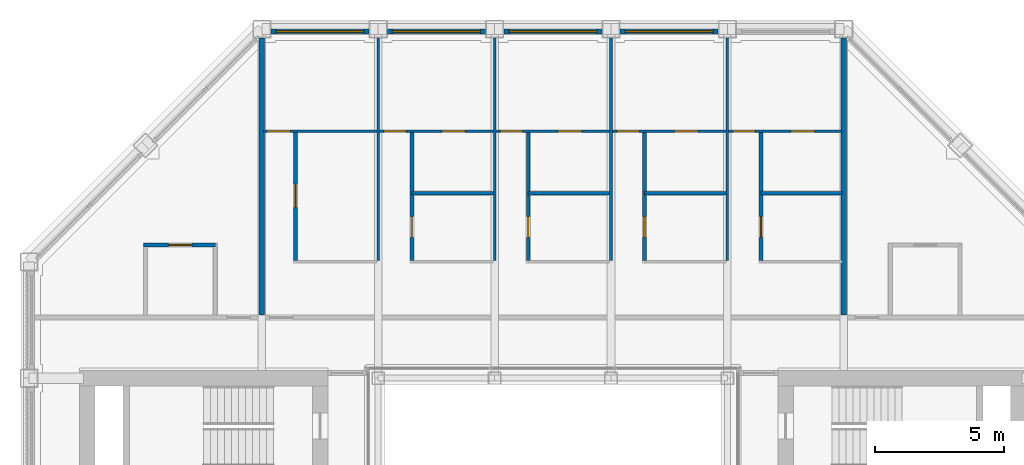
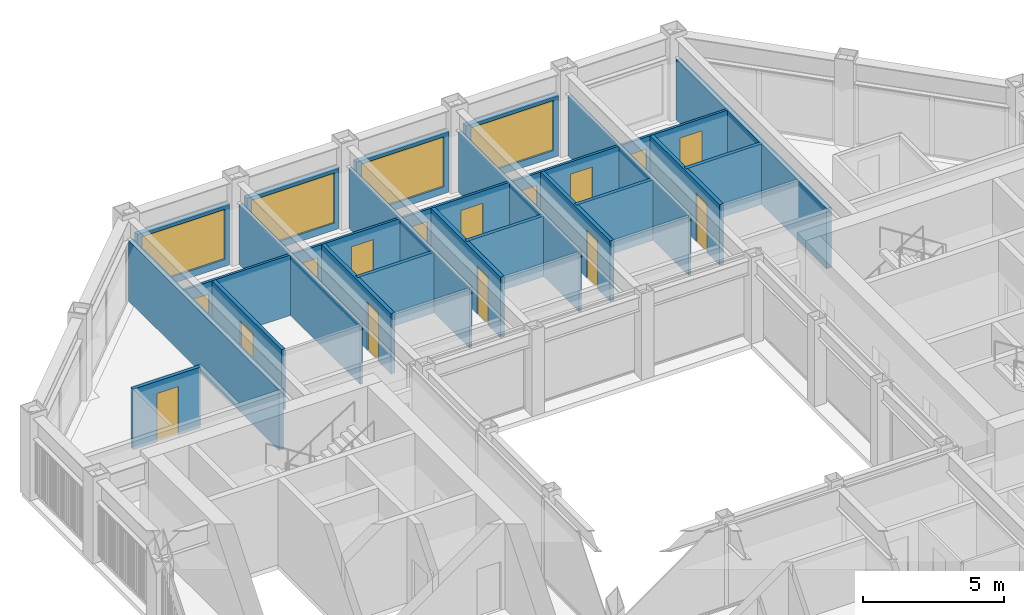
# One storey, part 12 of 18: 25 walls, 15 doors, 4 windows, 19 openings.
"""IFC4 building model written with IfcOpenShell, lengths in metres."""

from ifc_helpers import new_model, si_unit, direction, frame, frame_2d, origin, place, context, subcontext, project, spatial, rectangle, extrude, material, layer, layer_set, type_object, element, fill, save


model = new_model("IFC4")

# Units and contexts
model_context = context("Model", 3, precision=1e-05, world=origin(), true_north=direction((0.0, 1.0)))
body_context = subcontext(model_context, "Body", "Model", "MODEL_VIEW")
ifc_project = project(units=[si_unit("LENGTHUNIT", "METRE"), si_unit("AREAUNIT", "SQUARE_METRE"), si_unit("VOLUMEUNIT", "CUBIC_METRE"), si_unit("PLANEANGLEUNIT", "RADIAN"), si_unit("MASSUNIT", "GRAM", prefix="KILO")], contexts=[model_context])

# Site, building, storey
site_placement = place(None, origin())
site = spatial("IfcSite", under=ifc_project, at=site_placement, CompositionType="ELEMENT")
building_placement = place(site_placement, origin())
building = spatial("IfcBuilding", under=site, at=building_placement, Name="Msasa Ring Tower", CompositionType="ELEMENT")
storey_placement = place(building_placement, frame((0.0, 0.0, 245.800048828125)))
storey = spatial("IfcBuildingStorey", under=building, at=storey_placement, Name="L64", CompositionType="ELEMENT", Elevation=245.800048828125)

# Wall, opening, window
ifc_material_1 = material(Name="Terracotta rainscreen on blockwork", Category="masonry")
ifc_layer_1 = layer(ifc_material_1, 0.199951171875)
ifc_layer_set_1 = layer_set([ifc_layer_1], Name="FW1 TERRACOTTA-LINED INFILL BAY WALL 200")
wall_type_1 = type_object("IfcWallType", Name="FW1 TERRACOTTA-LINED INFILL BAY WALL 200", PredefinedType="SOLIDWALL", material=ifc_layer_set_1)
wall_1_placement = place(storey_placement, frame((-10.89501953125, 20.14990234375, 0.0), z_axis=(0.0, 0.0, 1.0), x_axis=(1.0, 0.0, 0.0)))
wall_1 = element("IfcWall", 1, at=wall_1_placement, inside=storey, type_object=wall_type_1, Name="Infill bay wall N L64 14", PredefinedType="SOLIDWALL", context=body_context, shape_type="SweptSolid", body=[
    extrude(rectangle(XDim=3.7900390625, YDim=0.199951171875, at=frame_2d((1.89501953125, 0.0))), origin(), (0.0, 0.0, 1.0), 2.62890625),
])
opening_1_placement = place(wall_1_placement, frame((0.195068359375, 0.0, 0.300048828125)))
opening_1 = element("IfcOpeningElement", 2, at=opening_1_placement, cuts=wall_1, Name="Opening WN3", PredefinedType="OPENING", context=body_context, shape_type="SweptSolid", body=[
    extrude(rectangle(XDim=3.39990234375, YDim=2.178955078125, at=frame_2d((1.699951171875, 1.08935546875))), frame((0.0, 0.10986328125, 0.0), z_axis=(0.0, -1.0, 0.0), x_axis=(1.0, 0.0, 0.0)), (0.0, 0.0, 1.0), 0.219970703125),
])
ifc_material_2 = material(Name="Aluminium frame with clear glass", Category="aluminium")
window_type = type_object("IfcWindowType", Name="WN3 SUITE WINDOW 3400x2179", PartitioningType="SINGLE_PANEL", PredefinedType="WINDOW", material=ifc_material_2)
window_1_placement = place(opening_1_placement, origin())
window_1 = element("IfcWindow", 3, at=window_1_placement, inside=storey, type_object=window_type, Name="Window N L64 14", OverallHeight=2.178955078125, OverallWidth=3.39990234375, PartitioningType="SINGLE_PANEL", PredefinedType="WINDOW", context=body_context, shape_type="SweptSolid", body=[
    extrude(rectangle(XDim=3.39990234375, YDim=2.178955078125, at=frame_2d((1.699951171875, 1.08935546875))), frame((0.0, 0.030029296875, 0.0), z_axis=(0.0, -1.0, 0.0), x_axis=(1.0, 0.0, 0.0)), (0.0, 0.0, 1.0), 0.06005859375),
])
fill(opening_1, window_1)

wall_2_placement = place(storey_placement, frame((-6.39501953125, 20.14990234375, 0.0), z_axis=(0.0, 0.0, 1.0), x_axis=(1.0, 0.0, 0.0)))
wall_2 = element("IfcWall", 4, at=wall_2_placement, inside=storey, type_object=wall_type_1, Name="Infill bay wall N L64 15", PredefinedType="SOLIDWALL", context=body_context, shape_type="SweptSolid", body=[
    extrude(rectangle(XDim=3.7900390625, YDim=0.199951171875, at=frame_2d((1.89501953125, 0.0))), origin(), (0.0, 0.0, 1.0), 2.62890625),
])
opening_2_placement = place(wall_2_placement, frame((0.195068359375, 0.0, 0.300048828125)))
opening_2 = element("IfcOpeningElement", 5, at=opening_2_placement, cuts=wall_2, Name="Opening WN3", PredefinedType="OPENING", context=body_context, shape_type="SweptSolid", body=[
    extrude(rectangle(XDim=3.39990234375, YDim=2.178955078125, at=frame_2d((1.699951171875, 1.08935546875))), frame((0.0, 0.10986328125, 0.0), z_axis=(0.0, -1.0, 0.0), x_axis=(1.0, 0.0, 0.0)), (0.0, 0.0, 1.0), 0.219970703125),
])
window_2_placement = place(opening_2_placement, origin())
window_2 = element("IfcWindow", 6, at=window_2_placement, inside=storey, type_object=window_type, Name="Window N L64 15", OverallHeight=2.178955078125, OverallWidth=3.39990234375, PartitioningType="SINGLE_PANEL", PredefinedType="WINDOW", context=body_context, shape_type="SweptSolid", body=[
    extrude(rectangle(XDim=3.39990234375, YDim=2.178955078125, at=frame_2d((1.699951171875, 1.08935546875))), frame((0.0, 0.030029296875, 0.0), z_axis=(0.0, -1.0, 0.0), x_axis=(1.0, 0.0, 0.0)), (0.0, 0.0, 1.0), 0.06005859375),
])
fill(opening_2, window_2)

wall_3_placement = place(storey_placement, frame((-1.89501953125, 20.14990234375, 0.0), z_axis=(0.0, 0.0, 1.0), x_axis=(1.0, 0.0, 0.0)))
wall_3 = element("IfcWall", 7, at=wall_3_placement, inside=storey, type_object=wall_type_1, Name="Infill bay wall N L64 16", PredefinedType="SOLIDWALL", context=body_context, shape_type="SweptSolid", body=[
    extrude(rectangle(XDim=3.7900390625, YDim=0.199951171875, at=frame_2d((1.89501953125, 0.0))), origin(), (0.0, 0.0, 1.0), 2.62890625),
])
opening_3_placement = place(wall_3_placement, frame((0.195068359375, 0.0, 0.300048828125)))
opening_3 = element("IfcOpeningElement", 8, at=opening_3_placement, cuts=wall_3, Name="Opening WN3", PredefinedType="OPENING", context=body_context, shape_type="SweptSolid", body=[
    extrude(rectangle(XDim=3.39990234375, YDim=2.178955078125, at=frame_2d((1.699951171875, 1.08935546875))), frame((0.0, 0.10986328125, 0.0), z_axis=(0.0, -1.0, 0.0), x_axis=(1.0, 0.0, 0.0)), (0.0, 0.0, 1.0), 0.219970703125),
])
window_3_placement = place(opening_3_placement, origin())
window_3 = element("IfcWindow", 9, at=window_3_placement, inside=storey, type_object=window_type, Name="Window N L64 16", OverallHeight=2.178955078125, OverallWidth=3.39990234375, PartitioningType="SINGLE_PANEL", PredefinedType="WINDOW", context=body_context, shape_type="SweptSolid", body=[
    extrude(rectangle(XDim=3.39990234375, YDim=2.178955078125, at=frame_2d((1.699951171875, 1.08935546875))), frame((0.0, 0.030029296875, 0.0), z_axis=(0.0, -1.0, 0.0), x_axis=(1.0, 0.0, 0.0)), (0.0, 0.0, 1.0), 0.06005859375),
])
fill(opening_3, window_3)

wall_4_placement = place(storey_placement, frame((2.60498046875, 20.14990234375, 0.0), z_axis=(0.0, 0.0, 1.0), x_axis=(1.0, 0.0, 0.0)))
wall_4 = element("IfcWall", 10, at=wall_4_placement, inside=storey, type_object=wall_type_1, Name="Infill bay wall N L64 17", PredefinedType="SOLIDWALL", context=body_context, shape_type="SweptSolid", body=[
    extrude(rectangle(XDim=3.7900390625, YDim=0.199951171875, at=frame_2d((1.89501953125, 0.0))), origin(), (0.0, 0.0, 1.0), 2.62890625),
])
opening_4_placement = place(wall_4_placement, frame((0.195068359375, 0.0, 0.300048828125)))
opening_4 = element("IfcOpeningElement", 11, at=opening_4_placement, cuts=wall_4, Name="Opening WN3", PredefinedType="OPENING", context=body_context, shape_type="SweptSolid", body=[
    extrude(rectangle(XDim=3.39990234375, YDim=2.178955078125, at=frame_2d((1.699951171875, 1.08935546875))), frame((0.0, 0.10986328125, 0.0), z_axis=(0.0, -1.0, 0.0), x_axis=(1.0, 0.0, 0.0)), (0.0, 0.0, 1.0), 0.219970703125),
])
window_4_placement = place(opening_4_placement, origin())
window_4 = element("IfcWindow", 12, at=window_4_placement, inside=storey, type_object=window_type, Name="Window N L64 17", OverallHeight=2.178955078125, OverallWidth=3.39990234375, PartitioningType="SINGLE_PANEL", PredefinedType="WINDOW", context=body_context, shape_type="SweptSolid", body=[
    extrude(rectangle(XDim=3.39990234375, YDim=2.178955078125, at=frame_2d((1.699951171875, 1.08935546875))), frame((0.0, 0.030029296875, 0.0), z_axis=(0.0, -1.0, 0.0), x_axis=(1.0, 0.0, 0.0)), (0.0, 0.0, 1.0), 0.06005859375),
])
fill(opening_4, window_4)

# Wall, opening, door
ifc_material_3 = material(Name="Gypsum board on steel studs", Category="steel")
ifc_layer_2 = layer(ifc_material_3, 0.10009765625)
ifc_layer_set_2 = layer_set([ifc_layer_2], Name="PT2 STUD PARTITION 100")
wall_type_2 = type_object("IfcWallType", Name="PT2 STUD PARTITION 100", PredefinedType="PARTITIONING", material=ifc_layer_set_2)
wall_5_placement = place(storey_placement, frame((-11.18994140625, 16.300048828125, 0.0), z_axis=(0.0, 0.0, 1.0), x_axis=(1.0, 0.0, 0.0)))
wall_5 = element("IfcWall", 13, at=wall_5_placement, inside=storey, type_object=wall_type_2, Name="Partition L64-JN00SY0", PredefinedType="PARTITIONING", context=body_context, shape_type="SweptSolid", body=[
    extrude(rectangle(XDim=4.389892578125, YDim=0.10009765625, at=frame_2d((2.19482421875, 0.0))), origin(), (0.0, 0.0, 1.0), 2.62890625),
])
opening_5_placement = place(wall_5_placement, frame((0.139892578125, 0.0, 0.0)))
opening_5 = element("IfcOpeningElement", 14, at=opening_5_placement, cuts=wall_5, Name="Opening SE-001", PredefinedType="OPENING", context=body_context, shape_type="SweptSolid", body=[
    extrude(rectangle(XDim=0.89990234375, YDim=2.10009765625, at=frame_2d((0.449951171875, 1.050048828125))), frame((0.0, 0.06005859375, 0.0), z_axis=(0.0, -1.0, 0.0), x_axis=(1.0, 0.0, 0.0)), (0.0, 0.0, 1.0), 0.1201171875),
])
ifc_material_4 = material(Name="Timber door leaf in a steel frame", Category="steel")
door_type_1 = type_object("IfcDoorType", Name="D22 INTERNAL HALL DOOR 900x2100", OperationType="SINGLE_SWING_LEFT", PredefinedType="DOOR", material=ifc_material_4)
door_1_placement = place(opening_5_placement, origin())
door_1 = element("IfcDoor", 15, at=door_1_placement, inside=storey, type_object=door_type_1, Name="Door L64-JN00L", OperationType="SINGLE_SWING_LEFT", OverallHeight=2.10009765625, OverallWidth=0.89990234375, PredefinedType="DOOR", context=body_context, shape_type="SweptSolid", body=[
    extrude(rectangle(XDim=0.89990234375, YDim=2.10009765625, at=frame_2d((0.449951171875, 1.050048828125))), frame((0.0, 0.02490234375, 0.0), z_axis=(0.0, -1.0, 0.0), x_axis=(1.0, 0.0, 0.0)), (0.0, 0.0, 1.0), 0.050048828125),
])
fill(opening_5, door_1)

# Wall
wall_6_placement = place(storey_placement, frame((-6.75, 11.300048828125, 0.0), z_axis=(0.0, 0.0, 1.0), x_axis=(0.0, 1.0, 0.0)))
element("IfcWall", 16, at=wall_6_placement, inside=storey, type_object=wall_type_2, Name="Partition L64-JN00P1", PredefinedType="PARTITIONING", context=body_context, shape_type="SweptSolid", body=[
    extrude(rectangle(XDim=8.599853515625, YDim=0.10009765625, at=frame_2d((4.2998046875, 0.0))), origin(), (0.0, 0.0, 1.0), 2.62890625),
])

# Wall, openings, doors
wall_7_placement = place(storey_placement, frame((-6.699951171875, 16.300048828125, 0.0), z_axis=(0.0, 0.0, 1.0), x_axis=(1.0, 0.0, 0.0)))
wall_7 = element("IfcWall", 17, at=wall_7_placement, inside=storey, type_object=wall_type_2, Name="Partition L64-JN00SY1", PredefinedType="PARTITIONING", context=body_context, shape_type="SweptSolid", body=[
    extrude(rectangle(XDim=4.39990234375, YDim=0.10009765625, at=frame_2d((2.199951171875, 0.0))), origin(), (0.0, 0.0, 1.0), 2.62890625),
])
opening_6_placement = place(wall_7_placement, frame((0.175048828125, 0.0, 0.0)))
opening_6 = element("IfcOpeningElement", 18, at=opening_6_placement, cuts=wall_7, Name="Opening SE-002", PredefinedType="OPENING", context=body_context, shape_type="SweptSolid", body=[
    extrude(rectangle(XDim=0.85009765625, YDim=2.10009765625, at=frame_2d((0.425048828125, 1.050048828125))), frame((0.0, 0.06005859375, 0.0), z_axis=(0.0, -1.0, 0.0), x_axis=(1.0, 0.0, 0.0)), (0.0, 0.0, 1.0), 0.1201171875),
])
opening_7_placement = place(wall_7_placement, frame((2.409912109375, 0.0, 0.0)))
opening_7 = element("IfcOpeningElement", 19, at=opening_7_placement, cuts=wall_7, Name="Opening SE-003", PredefinedType="OPENING", context=body_context, shape_type="SweptSolid", body=[
    extrude(rectangle(XDim=0.89990234375, YDim=2.10009765625, at=frame_2d((0.449951171875, 1.050048828125))), frame((0.0, 0.06005859375, 0.0), z_axis=(0.0, -1.0, 0.0), x_axis=(1.0, 0.0, 0.0)), (0.0, 0.0, 1.0), 0.1201171875),
])
ifc_material_5 = material(Name="Timber door leaf in a steel frame", Category="steel")
door_type_2 = type_object("IfcDoorType", Name="D14 BEDROOM DOOR 850x2100", OperationType="SINGLE_SWING_LEFT", PredefinedType="DOOR", material=ifc_material_5)
door_2_placement = place(opening_6_placement, origin())
door_2 = element("IfcDoor", 20, at=door_2_placement, inside=storey, type_object=door_type_2, Name="Door L64-JN00R1", OperationType="SINGLE_SWING_LEFT", OverallHeight=2.10009765625, OverallWidth=0.85009765625, PredefinedType="DOOR", context=body_context, shape_type="SweptSolid", body=[
    extrude(rectangle(XDim=0.85009765625, YDim=2.10009765625, at=frame_2d((0.425048828125, 1.050048828125))), frame((0.0, 0.02490234375, 0.0), z_axis=(0.0, -1.0, 0.0), x_axis=(1.0, 0.0, 0.0)), (0.0, 0.0, 1.0), 0.050048828125),
])
fill(opening_6, door_2)
ifc_material_6 = material(Name="Timber door leaf in a steel frame", Category="steel")
door_type_3 = type_object("IfcDoorType", Name="D3 BATHROOM DOOR 900x2100", OperationType="SINGLE_SWING_LEFT", PredefinedType="DOOR", material=ifc_material_6)
door_3_placement = place(opening_7_placement, origin())
door_3 = element("IfcDoor", 21, at=door_3_placement, inside=storey, type_object=door_type_3, Name="Door L64-JN00B1", OperationType="SINGLE_SWING_RIGHT", OverallHeight=2.10009765625, OverallWidth=0.89990234375, PredefinedType="DOOR", context=body_context, shape_type="SweptSolid", body=[
    extrude(rectangle(XDim=0.89990234375, YDim=2.10009765625, at=frame_2d((0.449951171875, 1.050048828125))), frame((0.0, 0.02490234375, 0.0), z_axis=(0.0, -1.0, 0.0), x_axis=(1.0, 0.0, 0.0)), (0.0, 0.0, 1.0), 0.050048828125),
])
fill(opening_7, door_3)

# Wall
wall_8_placement = place(storey_placement, frame((-2.25, 11.300048828125, 0.0), z_axis=(0.0, 0.0, 1.0), x_axis=(0.0, 1.0, 0.0)))
element("IfcWall", 22, at=wall_8_placement, inside=storey, type_object=wall_type_2, Name="Partition L64-JN00P2", PredefinedType="PARTITIONING", context=body_context, shape_type="SweptSolid", body=[
    extrude(rectangle(XDim=8.599853515625, YDim=0.10009765625, at=frame_2d((4.2998046875, 0.0))), origin(), (0.0, 0.0, 1.0), 2.62890625),
])

# Wall, openings, doors
wall_9_placement = place(storey_placement, frame((-2.199951171875, 16.300048828125, 0.0), z_axis=(0.0, 0.0, 1.0), x_axis=(1.0, 0.0, 0.0)))
wall_9 = element("IfcWall", 23, at=wall_9_placement, inside=storey, type_object=wall_type_2, Name="Partition L64-JN00SY2", PredefinedType="PARTITIONING", context=body_context, shape_type="SweptSolid", body=[
    extrude(rectangle(XDim=4.39990234375, YDim=0.10009765625, at=frame_2d((2.199951171875, 0.0))), origin(), (0.0, 0.0, 1.0), 2.62890625),
])
opening_8_placement = place(wall_9_placement, frame((0.175048828125, 0.0, 0.0)))
opening_8 = element("IfcOpeningElement", 24, at=opening_8_placement, cuts=wall_9, Name="Opening SE-004", PredefinedType="OPENING", context=body_context, shape_type="SweptSolid", body=[
    extrude(rectangle(XDim=0.85009765625, YDim=2.10009765625, at=frame_2d((0.425048828125, 1.050048828125))), frame((0.0, 0.06005859375, 0.0), z_axis=(0.0, -1.0, 0.0), x_axis=(1.0, 0.0, 0.0)), (0.0, 0.0, 1.0), 0.1201171875),
])
opening_9_placement = place(wall_9_placement, frame((2.409912109375, 0.0, 0.0)))
opening_9 = element("IfcOpeningElement", 25, at=opening_9_placement, cuts=wall_9, Name="Opening SE-005", PredefinedType="OPENING", context=body_context, shape_type="SweptSolid", body=[
    extrude(rectangle(XDim=0.89990234375, YDim=2.10009765625, at=frame_2d((0.449951171875, 1.050048828125))), frame((0.0, 0.06005859375, 0.0), z_axis=(0.0, -1.0, 0.0), x_axis=(1.0, 0.0, 0.0)), (0.0, 0.0, 1.0), 0.1201171875),
])
door_4_placement = place(opening_8_placement, origin())
door_4 = element("IfcDoor", 26, at=door_4_placement, inside=storey, type_object=door_type_2, Name="Door L64-JN00R2", OperationType="SINGLE_SWING_LEFT", OverallHeight=2.10009765625, OverallWidth=0.85009765625, PredefinedType="DOOR", context=body_context, shape_type="SweptSolid", body=[
    extrude(rectangle(XDim=0.85009765625, YDim=2.10009765625, at=frame_2d((0.425048828125, 1.050048828125))), frame((0.0, 0.02490234375, 0.0), z_axis=(0.0, -1.0, 0.0), x_axis=(1.0, 0.0, 0.0)), (0.0, 0.0, 1.0), 0.050048828125),
])
fill(opening_8, door_4)
door_5_placement = place(opening_9_placement, origin())
door_5 = element("IfcDoor", 27, at=door_5_placement, inside=storey, type_object=door_type_3, Name="Door L64-JN00B2", OperationType="SINGLE_SWING_RIGHT", OverallHeight=2.10009765625, OverallWidth=0.89990234375, PredefinedType="DOOR", context=body_context, shape_type="SweptSolid", body=[
    extrude(rectangle(XDim=0.89990234375, YDim=2.10009765625, at=frame_2d((0.449951171875, 1.050048828125))), frame((0.0, 0.02490234375, 0.0), z_axis=(0.0, -1.0, 0.0), x_axis=(1.0, 0.0, 0.0)), (0.0, 0.0, 1.0), 0.050048828125),
])
fill(opening_9, door_5)

# Wall
wall_10_placement = place(storey_placement, frame((2.25, 11.300048828125, 0.0), z_axis=(0.0, 0.0, 1.0), x_axis=(0.0, 1.0, 0.0)))
element("IfcWall", 28, at=wall_10_placement, inside=storey, type_object=wall_type_2, Name="Partition L64-JN00P3", PredefinedType="PARTITIONING", context=body_context, shape_type="SweptSolid", body=[
    extrude(rectangle(XDim=8.599853515625, YDim=0.10009765625, at=frame_2d((4.2998046875, 0.0))), origin(), (0.0, 0.0, 1.0), 2.62890625),
])

# Wall, openings, doors
wall_11_placement = place(storey_placement, frame((2.300048828125, 16.300048828125, 0.0), z_axis=(0.0, 0.0, 1.0), x_axis=(1.0, 0.0, 0.0)))
wall_11 = element("IfcWall", 29, at=wall_11_placement, inside=storey, type_object=wall_type_2, Name="Partition L64-JN00SY3", PredefinedType="PARTITIONING", context=body_context, shape_type="SweptSolid", body=[
    extrude(rectangle(XDim=4.39990234375, YDim=0.10009765625, at=frame_2d((2.199951171875, 0.0))), origin(), (0.0, 0.0, 1.0), 2.62890625),
])
opening_10_placement = place(wall_11_placement, frame((0.175048828125, 0.0, 0.0)))
opening_10 = element("IfcOpeningElement", 30, at=opening_10_placement, cuts=wall_11, Name="Opening SE-006", PredefinedType="OPENING", context=body_context, shape_type="SweptSolid", body=[
    extrude(rectangle(XDim=0.85009765625, YDim=2.10009765625, at=frame_2d((0.425048828125, 1.050048828125))), frame((0.0, 0.06005859375, 0.0), z_axis=(0.0, -1.0, 0.0), x_axis=(1.0, 0.0, 0.0)), (0.0, 0.0, 1.0), 0.1201171875),
])
opening_11_placement = place(wall_11_placement, frame((2.409912109375, 0.0, 0.0)))
opening_11 = element("IfcOpeningElement", 31, at=opening_11_placement, cuts=wall_11, Name="Opening SE-007", PredefinedType="OPENING", context=body_context, shape_type="SweptSolid", body=[
    extrude(rectangle(XDim=0.89990234375, YDim=2.10009765625, at=frame_2d((0.449951171875, 1.050048828125))), frame((0.0, 0.06005859375, 0.0), z_axis=(0.0, -1.0, 0.0), x_axis=(1.0, 0.0, 0.0)), (0.0, 0.0, 1.0), 0.1201171875),
])
door_6_placement = place(opening_10_placement, origin())
door_6 = element("IfcDoor", 32, at=door_6_placement, inside=storey, type_object=door_type_2, Name="Door L64-JN00R3", OperationType="SINGLE_SWING_LEFT", OverallHeight=2.10009765625, OverallWidth=0.85009765625, PredefinedType="DOOR", context=body_context, shape_type="SweptSolid", body=[
    extrude(rectangle(XDim=0.85009765625, YDim=2.10009765625, at=frame_2d((0.425048828125, 1.050048828125))), frame((0.0, 0.02490234375, 0.0), z_axis=(0.0, -1.0, 0.0), x_axis=(1.0, 0.0, 0.0)), (0.0, 0.0, 1.0), 0.050048828125),
])
fill(opening_10, door_6)
door_7_placement = place(opening_11_placement, origin())
door_7 = element("IfcDoor", 33, at=door_7_placement, inside=storey, type_object=door_type_3, Name="Door L64-JN00B3", OperationType="SINGLE_SWING_RIGHT", OverallHeight=2.10009765625, OverallWidth=0.89990234375, PredefinedType="DOOR", context=body_context, shape_type="SweptSolid", body=[
    extrude(rectangle(XDim=0.89990234375, YDim=2.10009765625, at=frame_2d((0.449951171875, 1.050048828125))), frame((0.0, 0.02490234375, 0.0), z_axis=(0.0, -1.0, 0.0), x_axis=(1.0, 0.0, 0.0)), (0.0, 0.0, 1.0), 0.050048828125),
])
fill(opening_11, door_7)

# Wall
wall_12_placement = place(storey_placement, frame((6.75, 11.300048828125, 0.0), z_axis=(0.0, 0.0, 1.0), x_axis=(0.0, 1.0, 0.0)))
element("IfcWall", 34, at=wall_12_placement, inside=storey, type_object=wall_type_2, Name="Partition L64-JN00P4", PredefinedType="PARTITIONING", context=body_context, shape_type="SweptSolid", body=[
    extrude(rectangle(XDim=8.599853515625, YDim=0.10009765625, at=frame_2d((4.2998046875, 0.0))), origin(), (0.0, 0.0, 1.0), 2.62890625),
])

# Wall, openings, doors
wall_13_placement = place(storey_placement, frame((6.800048828125, 16.300048828125, 0.0), z_axis=(0.0, 0.0, 1.0), x_axis=(1.0, 0.0, 0.0)))
wall_13 = element("IfcWall", 35, at=wall_13_placement, inside=storey, type_object=wall_type_2, Name="Partition L64-JN00SY4", PredefinedType="PARTITIONING", context=body_context, shape_type="SweptSolid", body=[
    extrude(rectangle(XDim=4.389892578125, YDim=0.10009765625, at=frame_2d((2.19482421875, 0.0))), origin(), (0.0, 0.0, 1.0), 2.62890625),
])
opening_12_placement = place(wall_13_placement, frame((0.175048828125, 0.0, 0.0)))
opening_12 = element("IfcOpeningElement", 36, at=opening_12_placement, cuts=wall_13, Name="Opening SE-008", PredefinedType="OPENING", context=body_context, shape_type="SweptSolid", body=[
    extrude(rectangle(XDim=0.85009765625, YDim=2.10009765625, at=frame_2d((0.425048828125, 1.050048828125))), frame((0.0, 0.06005859375, 0.0), z_axis=(0.0, -1.0, 0.0), x_axis=(1.0, 0.0, 0.0)), (0.0, 0.0, 1.0), 0.1201171875),
])
opening_13_placement = place(wall_13_placement, frame((2.409912109375, 0.0, 0.0)))
opening_13 = element("IfcOpeningElement", 37, at=opening_13_placement, cuts=wall_13, Name="Opening SE-009", PredefinedType="OPENING", context=body_context, shape_type="SweptSolid", body=[
    extrude(rectangle(XDim=0.89990234375, YDim=2.10009765625, at=frame_2d((0.449951171875, 1.050048828125))), frame((0.0, 0.06005859375, 0.0), z_axis=(0.0, -1.0, 0.0), x_axis=(1.0, 0.0, 0.0)), (0.0, 0.0, 1.0), 0.1201171875),
])
door_8_placement = place(opening_12_placement, origin())
door_8 = element("IfcDoor", 38, at=door_8_placement, inside=storey, type_object=door_type_2, Name="Door L64-JN00R4", OperationType="SINGLE_SWING_LEFT", OverallHeight=2.10009765625, OverallWidth=0.85009765625, PredefinedType="DOOR", context=body_context, shape_type="SweptSolid", body=[
    extrude(rectangle(XDim=0.85009765625, YDim=2.10009765625, at=frame_2d((0.425048828125, 1.050048828125))), frame((0.0, 0.02490234375, 0.0), z_axis=(0.0, -1.0, 0.0), x_axis=(1.0, 0.0, 0.0)), (0.0, 0.0, 1.0), 0.050048828125),
])
fill(opening_12, door_8)
door_9_placement = place(opening_13_placement, origin())
door_9 = element("IfcDoor", 39, at=door_9_placement, inside=storey, type_object=door_type_3, Name="Door L64-JN00B4", OperationType="SINGLE_SWING_RIGHT", OverallHeight=2.10009765625, OverallWidth=0.89990234375, PredefinedType="DOOR", context=body_context, shape_type="SweptSolid", body=[
    extrude(rectangle(XDim=0.89990234375, YDim=2.10009765625, at=frame_2d((0.449951171875, 1.050048828125))), frame((0.0, 0.02490234375, 0.0), z_axis=(0.0, -1.0, 0.0), x_axis=(1.0, 0.0, 0.0)), (0.0, 0.0, 1.0), 0.050048828125),
])
fill(opening_13, door_9)

# Walls
ifc_material_7 = material(Name="Dense concrete blockwork, plastered both faces", Category="masonry")
ifc_layer_3 = layer(ifc_material_7, 0.25)
ifc_layer_set_3 = layer_set([ifc_layer_3], Name="PT3 APARTMENT SEPARATING WALL 250")
wall_type_3 = type_object("IfcWallType", Name="PT3 APARTMENT SEPARATING WALL 250", PredefinedType="PARTITIONING", material=ifc_layer_set_3)
for number, where, z_axis, x_axis, name in (
    (40, (-11.25, 9.199951171875, 0.0), (0.0, 0.0, 1.0), (0.0, 1.0, 0.0), "Party wall L64-PWN-11.25"),
    (41, (11.25, 9.199951171875, 0.0), (0.0, 0.0, 1.0), (0.0, 1.0, 0.0), "Party wall L64-PWN+11.25"),
):
    element("IfcWall", number, at=place(storey_placement, frame(where, z_axis=z_axis, x_axis=x_axis)), inside=storey, type_object=wall_type_3, Name=name, PredefinedType="PARTITIONING", context=body_context, shape_type="SweptSolid", body=[
        extrude(rectangle(XDim=10.699951171875, YDim=0.199951171875, at=frame_2d((5.35009765625, 0.0))), origin(), (0.0, 0.0, 1.0), 2.62890625),
    ])

# Wall, opening, door
ifc_material_8 = material(Name="Moisture-resistant board on steel studs with a concealed cistern and pipe void, tiled", Category="steel")
ifc_layer_4 = layer(ifc_material_8, 0.14990234375)
ifc_layer_set_4 = layer_set([ifc_layer_4], Name="PT4 BATHROOM WET WALL 150")
wall_type_4 = type_object("IfcWallType", Name="PT4 BATHROOM WET WALL 150", PredefinedType="PARTITIONING", material=ifc_layer_set_4)
wall_14_placement = place(storey_placement, frame((-9.949951171875, 11.300048828125, 0.0), z_axis=(0.0, 0.0, 1.0), x_axis=(0.0, 1.0, 0.0)))
wall_14 = element("IfcWall", 42, at=wall_14_placement, inside=storey, type_object=wall_type_4, Name="Partition L64-JN00SX0", PredefinedType="PARTITIONING", context=body_context, shape_type="SweptSolid", body=[
    extrude(rectangle(XDim=5.0, YDim=0.14990234375, at=frame_2d((2.5, 0.0))), origin(), (0.0, 0.0, 1.0), 2.62890625),
])
opening_14_placement = place(wall_14_placement, frame((2.050048828125, 0.0, 0.0)))
opening_14 = element("IfcOpeningElement", 43, at=opening_14_placement, cuts=wall_14, Name="Opening SE-010", PredefinedType="OPENING", context=body_context, shape_type="SweptSolid", body=[
    extrude(rectangle(XDim=0.89990234375, YDim=2.10009765625, at=frame_2d((0.449951171875, 1.050048828125))), frame((0.0, 0.0849609375, 0.0), z_axis=(0.0, -1.0, 0.0), x_axis=(1.0, 0.0, 0.0)), (0.0, 0.0, 1.0), 0.169921875),
])
door_10_placement = place(opening_14_placement, origin())
door_10 = element("IfcDoor", 44, at=door_10_placement, inside=storey, type_object=door_type_1, Name="Door L64-JN00K", OperationType="SINGLE_SWING_LEFT", OverallHeight=2.10009765625, OverallWidth=0.89990234375, PredefinedType="DOOR", context=body_context, shape_type="SweptSolid", body=[
    extrude(rectangle(XDim=0.89990234375, YDim=2.10009765625, at=frame_2d((0.449951171875, 1.050048828125))), frame((0.0, 0.02490234375, 0.0), z_axis=(0.0, -1.0, 0.0), x_axis=(1.0, 0.0, 0.0)), (0.0, 0.0, 1.0), 0.050048828125),
])
fill(opening_14, door_10)

wall_15_placement = place(storey_placement, frame((-5.449951171875, 11.300048828125, 0.0), z_axis=(0.0, 0.0, 1.0), x_axis=(0.0, 1.0, 0.0)))
wall_15 = element("IfcWall", 45, at=wall_15_placement, inside=storey, type_object=wall_type_4, Name="Partition L64-JN00SX1", PredefinedType="PARTITIONING", context=body_context, shape_type="SweptSolid", body=[
    extrude(rectangle(XDim=5.0, YDim=0.14990234375, at=frame_2d((2.5, 0.0))), origin(), (0.0, 0.0, 1.0), 2.62890625),
])
opening_15_placement = place(wall_15_placement, frame((0.89990234375, 0.0, 0.0)))
opening_15 = element("IfcOpeningElement", 46, at=opening_15_placement, cuts=wall_15, Name="Opening SE-011", PredefinedType="OPENING", context=body_context, shape_type="SweptSolid", body=[
    extrude(rectangle(XDim=0.800048828125, YDim=2.10009765625, at=frame_2d((0.39990234375, 1.050048828125))), frame((0.0, 0.0849609375, 0.0), z_axis=(0.0, -1.0, 0.0), x_axis=(1.0, 0.0, 0.0)), (0.0, 0.0, 1.0), 0.169921875),
])
ifc_material_9 = material(Name="Timber door leaf in a steel frame", Category="steel")
door_type_4 = type_object("IfcDoorType", Name="D60 DRESSING ROOM DOOR 800x2100", OperationType="SINGLE_SWING_LEFT", PredefinedType="DOOR", material=ifc_material_9)
door_11_placement = place(opening_15_placement, origin())
door_11 = element("IfcDoor", 47, at=door_11_placement, inside=storey, type_object=door_type_4, Name="Door L64-JN00W1", OperationType="SINGLE_SWING_LEFT", OverallHeight=2.10009765625, OverallWidth=0.800048828125, PredefinedType="DOOR", context=body_context, shape_type="SweptSolid", body=[
    extrude(rectangle(XDim=0.800048828125, YDim=2.10009765625, at=frame_2d((0.39990234375, 1.050048828125))), frame((0.0, 0.02490234375, 0.0), z_axis=(0.0, -1.0, 0.0), x_axis=(1.0, 0.0, 0.0)), (0.0, 0.0, 1.0), 0.050048828125),
])
fill(opening_15, door_11)

# Wall
wall_16_placement = place(storey_placement, frame((-5.449951171875, 13.89990234375, 0.0), z_axis=(0.0, 0.0, 1.0), x_axis=(1.0, 0.0, 0.0)))
element("IfcWall", 48, at=wall_16_placement, inside=storey, type_object=wall_type_4, Name="Partition L64-JN00SB1", PredefinedType="PARTITIONING", context=body_context, shape_type="SweptSolid", body=[
    extrude(rectangle(XDim=3.14990234375, YDim=0.14990234375, at=frame_2d((1.574951171875, 0.0))), origin(), (0.0, 0.0, 1.0), 2.62890625),
])

# Wall, opening, door
wall_17_placement = place(storey_placement, frame((-0.949951171875, 11.300048828125, 0.0), z_axis=(0.0, 0.0, 1.0), x_axis=(0.0, 1.0, 0.0)))
wall_17 = element("IfcWall", 49, at=wall_17_placement, inside=storey, type_object=wall_type_4, Name="Partition L64-JN00SX2", PredefinedType="PARTITIONING", context=body_context, shape_type="SweptSolid", body=[
    extrude(rectangle(XDim=5.0, YDim=0.14990234375, at=frame_2d((2.5, 0.0))), origin(), (0.0, 0.0, 1.0), 2.62890625),
])
opening_16_placement = place(wall_17_placement, frame((0.89990234375, 0.0, 0.0)))
opening_16 = element("IfcOpeningElement", 50, at=opening_16_placement, cuts=wall_17, Name="Opening SE-012", PredefinedType="OPENING", context=body_context, shape_type="SweptSolid", body=[
    extrude(rectangle(XDim=0.800048828125, YDim=2.10009765625, at=frame_2d((0.39990234375, 1.050048828125))), frame((0.0, 0.0849609375, 0.0), z_axis=(0.0, -1.0, 0.0), x_axis=(1.0, 0.0, 0.0)), (0.0, 0.0, 1.0), 0.169921875),
])
door_12_placement = place(opening_16_placement, origin())
door_12 = element("IfcDoor", 51, at=door_12_placement, inside=storey, type_object=door_type_4, Name="Door L64-JN00W2", OperationType="SINGLE_SWING_LEFT", OverallHeight=2.10009765625, OverallWidth=0.800048828125, PredefinedType="DOOR", context=body_context, shape_type="SweptSolid", body=[
    extrude(rectangle(XDim=0.800048828125, YDim=2.10009765625, at=frame_2d((0.39990234375, 1.050048828125))), frame((0.0, 0.02490234375, 0.0), z_axis=(0.0, -1.0, 0.0), x_axis=(1.0, 0.0, 0.0)), (0.0, 0.0, 1.0), 0.050048828125),
])
fill(opening_16, door_12)

# Wall
wall_18_placement = place(storey_placement, frame((-0.949951171875, 13.89990234375, 0.0), z_axis=(0.0, 0.0, 1.0), x_axis=(1.0, 0.0, 0.0)))
element("IfcWall", 52, at=wall_18_placement, inside=storey, type_object=wall_type_4, Name="Partition L64-JN00SB2", PredefinedType="PARTITIONING", context=body_context, shape_type="SweptSolid", body=[
    extrude(rectangle(XDim=3.14990234375, YDim=0.14990234375, at=frame_2d((1.574951171875, 0.0))), origin(), (0.0, 0.0, 1.0), 2.62890625),
])

# Wall, opening, door
wall_19_placement = place(storey_placement, frame((3.550048828125, 11.300048828125, 0.0), z_axis=(0.0, 0.0, 1.0), x_axis=(0.0, 1.0, 0.0)))
wall_19 = element("IfcWall", 53, at=wall_19_placement, inside=storey, type_object=wall_type_4, Name="Partition L64-JN00SX3", PredefinedType="PARTITIONING", context=body_context, shape_type="SweptSolid", body=[
    extrude(rectangle(XDim=5.0, YDim=0.14990234375, at=frame_2d((2.5, 0.0))), origin(), (0.0, 0.0, 1.0), 2.62890625),
])
opening_17_placement = place(wall_19_placement, frame((0.89990234375, 0.0, 0.0)))
opening_17 = element("IfcOpeningElement", 54, at=opening_17_placement, cuts=wall_19, Name="Opening SE-013", PredefinedType="OPENING", context=body_context, shape_type="SweptSolid", body=[
    extrude(rectangle(XDim=0.800048828125, YDim=2.10009765625, at=frame_2d((0.39990234375, 1.050048828125))), frame((0.0, 0.0849609375, 0.0), z_axis=(0.0, -1.0, 0.0), x_axis=(1.0, 0.0, 0.0)), (0.0, 0.0, 1.0), 0.169921875),
])
door_13_placement = place(opening_17_placement, origin())
door_13 = element("IfcDoor", 55, at=door_13_placement, inside=storey, type_object=door_type_4, Name="Door L64-JN00W3", OperationType="SINGLE_SWING_LEFT", OverallHeight=2.10009765625, OverallWidth=0.800048828125, PredefinedType="DOOR", context=body_context, shape_type="SweptSolid", body=[
    extrude(rectangle(XDim=0.800048828125, YDim=2.10009765625, at=frame_2d((0.39990234375, 1.050048828125))), frame((0.0, 0.02490234375, 0.0), z_axis=(0.0, -1.0, 0.0), x_axis=(1.0, 0.0, 0.0)), (0.0, 0.0, 1.0), 0.050048828125),
])
fill(opening_17, door_13)

# Wall
wall_20_placement = place(storey_placement, frame((3.550048828125, 13.89990234375, 0.0), z_axis=(0.0, 0.0, 1.0), x_axis=(1.0, 0.0, 0.0)))
element("IfcWall", 56, at=wall_20_placement, inside=storey, type_object=wall_type_4, Name="Partition L64-JN00SB3", PredefinedType="PARTITIONING", context=body_context, shape_type="SweptSolid", body=[
    extrude(rectangle(XDim=3.14990234375, YDim=0.14990234375, at=frame_2d((1.574951171875, 0.0))), origin(), (0.0, 0.0, 1.0), 2.62890625),
])

# Wall, opening, door
wall_21_placement = place(storey_placement, frame((8.050048828125, 11.300048828125, 0.0), z_axis=(0.0, 0.0, 1.0), x_axis=(0.0, 1.0, 0.0)))
wall_21 = element("IfcWall", 57, at=wall_21_placement, inside=storey, type_object=wall_type_4, Name="Partition L64-JN00SX4", PredefinedType="PARTITIONING", context=body_context, shape_type="SweptSolid", body=[
    extrude(rectangle(XDim=5.0, YDim=0.14990234375, at=frame_2d((2.5, 0.0))), origin(), (0.0, 0.0, 1.0), 2.62890625),
])
opening_18_placement = place(wall_21_placement, frame((0.89990234375, 0.0, 0.0)))
opening_18 = element("IfcOpeningElement", 58, at=opening_18_placement, cuts=wall_21, Name="Opening SE-014", PredefinedType="OPENING", context=body_context, shape_type="SweptSolid", body=[
    extrude(rectangle(XDim=0.800048828125, YDim=2.10009765625, at=frame_2d((0.39990234375, 1.050048828125))), frame((0.0, 0.0849609375, 0.0), z_axis=(0.0, -1.0, 0.0), x_axis=(1.0, 0.0, 0.0)), (0.0, 0.0, 1.0), 0.169921875),
])
door_14_placement = place(opening_18_placement, origin())
door_14 = element("IfcDoor", 59, at=door_14_placement, inside=storey, type_object=door_type_4, Name="Door L64-JN00W4", OperationType="SINGLE_SWING_LEFT", OverallHeight=2.10009765625, OverallWidth=0.800048828125, PredefinedType="DOOR", context=body_context, shape_type="SweptSolid", body=[
    extrude(rectangle(XDim=0.800048828125, YDim=2.10009765625, at=frame_2d((0.39990234375, 1.050048828125))), frame((0.0, 0.02490234375, 0.0), z_axis=(0.0, -1.0, 0.0), x_axis=(1.0, 0.0, 0.0)), (0.0, 0.0, 1.0), 0.050048828125),
])
fill(opening_18, door_14)

# Wall
wall_22_placement = place(storey_placement, frame((8.050048828125, 13.89990234375, 0.0), z_axis=(0.0, 0.0, 1.0), x_axis=(1.0, 0.0, 0.0)))
element("IfcWall", 60, at=wall_22_placement, inside=storey, type_object=wall_type_4, Name="Partition L64-JN00SB4", PredefinedType="PARTITIONING", context=body_context, shape_type="SweptSolid", body=[
    extrude(rectangle(XDim=3.139892578125, YDim=0.14990234375, at=frame_2d((1.56982421875, 0.0))), origin(), (0.0, 0.0, 1.0), 2.62890625),
])

# Wall, opening, door
wall_23_placement = place(storey_placement, frame((-15.824951171875, 11.89990234375, 0.0), z_axis=(0.0, 0.0, 1.0), x_axis=(1.0, 0.0, 0.0)))
wall_23 = element("IfcWall", 61, at=wall_23_placement, inside=storey, type_object=wall_type_4, Name="Partition L64-CSNWBY", PredefinedType="PARTITIONING", context=body_context, shape_type="SweptSolid", body=[
    extrude(rectangle(XDim=2.77490234375, YDim=0.14990234375, at=frame_2d((1.387451171875, 0.0))), origin(), (0.0, 0.0, 1.0), 2.62890625),
])
opening_19_placement = place(wall_23_placement, frame((0.97509765625, 0.0, 0.0)))
opening_19 = element("IfcOpeningElement", 62, at=opening_19_placement, cuts=wall_23, Name="Opening SE-015", PredefinedType="OPENING", context=body_context, shape_type="SweptSolid", body=[
    extrude(rectangle(XDim=0.89990234375, YDim=2.10009765625, at=frame_2d((0.449951171875, 1.050048828125))), frame((0.0, 0.0849609375, 0.0), z_axis=(0.0, -1.0, 0.0), x_axis=(1.0, 0.0, 0.0)), (0.0, 0.0, 1.0), 0.169921875),
])
door_15_placement = place(opening_19_placement, origin())
door_15 = element("IfcDoor", 63, at=door_15_placement, inside=storey, type_object=door_type_3, Name="Door L64-CSNWB1", OperationType="SINGLE_SWING_RIGHT", OverallHeight=2.10009765625, OverallWidth=0.89990234375, PredefinedType="DOOR", context=body_context, shape_type="SweptSolid", body=[
    extrude(rectangle(XDim=0.89990234375, YDim=2.10009765625, at=frame_2d((0.449951171875, 1.050048828125))), frame((0.0, 0.02490234375, 0.0), z_axis=(0.0, -1.0, 0.0), x_axis=(1.0, 0.0, 0.0)), (0.0, 0.0, 1.0), 0.050048828125),
])
fill(opening_19, door_15)

save(model, "model.ifc")
